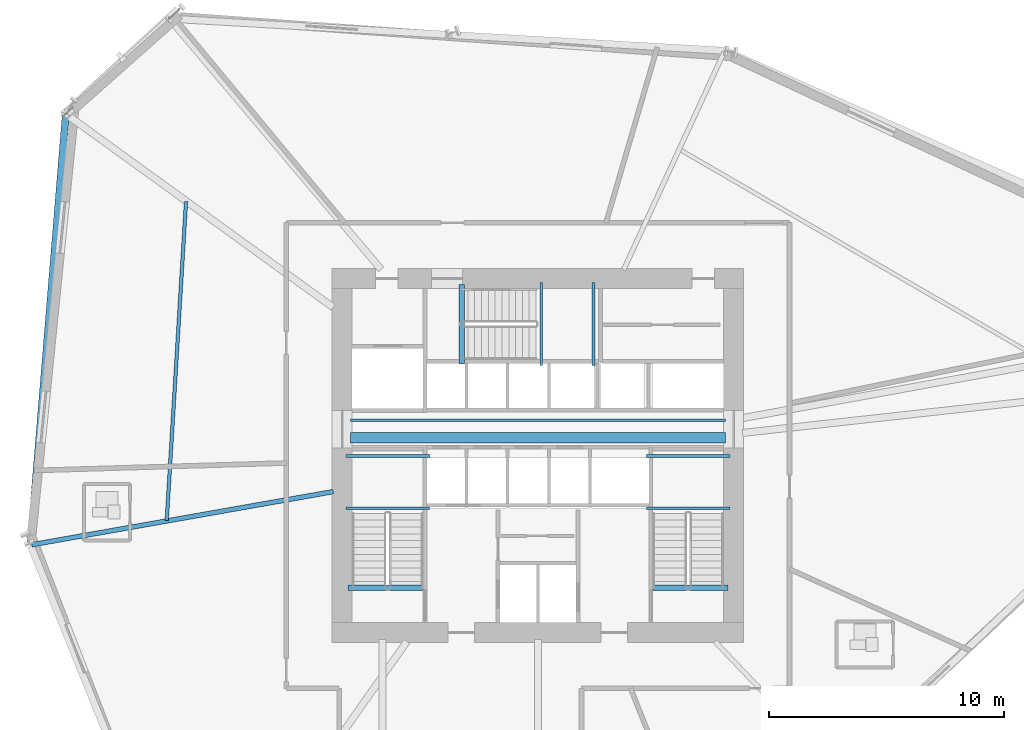
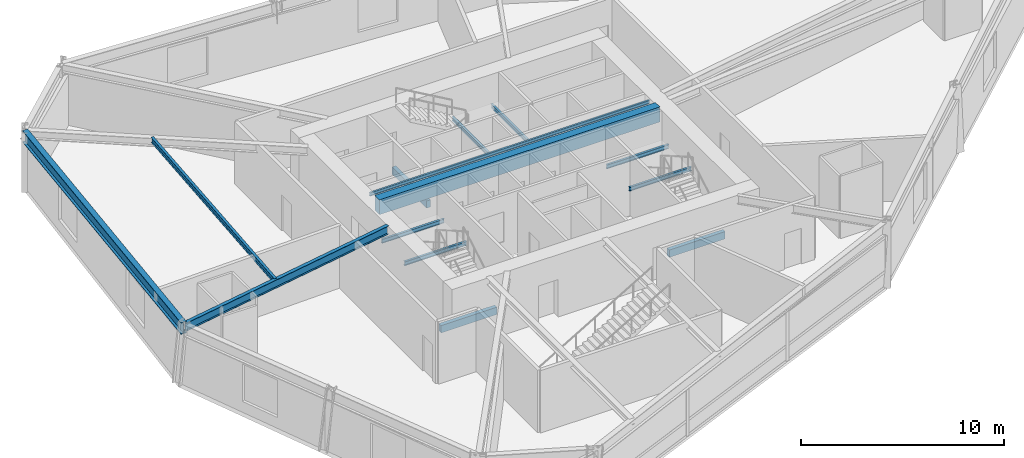
# One storey, part 7 of 19: 14 beams.
"""IFC4 building model written with IfcOpenShell, lengths in metres."""

from ifc_helpers import new_model, si_unit, direction, frame, origin, origin_2d, place, context, subcontext, project, spatial, rectangle, i_section, extrude, source, transform, mapped, material, material_profile, profile_set, type_object, element, save


model = new_model("IFC4")

# Units and contexts
model_context = context("Model", 3, precision=1e-05, world=origin(), true_north=direction((0.0, 1.0)))
body_context = subcontext(model_context, "Body", "Model", "MODEL_VIEW")
ifc_project = project(units=[si_unit("LENGTHUNIT", "METRE"), si_unit("AREAUNIT", "SQUARE_METRE"), si_unit("VOLUMEUNIT", "CUBIC_METRE"), si_unit("PLANEANGLEUNIT", "RADIAN"), si_unit("MASSUNIT", "GRAM", prefix="KILO")], contexts=[model_context])

# Site, building, storey
site_placement = place(None, origin())
site = spatial("IfcSite", under=ifc_project, at=site_placement, CompositionType="ELEMENT")
building_placement = place(site_placement, origin())
building = spatial("IfcBuilding", under=site, at=building_placement, Name="Olszyna Solenne Hotel", CompositionType="ELEMENT")
storey_placement = place(building_placement, frame((0.0, 0.0, 71.89990234375)))
storey = spatial("IfcBuildingStorey", under=building, at=storey_placement, Name="L18", CompositionType="ELEMENT", Elevation=71.89990234375)

# Beams
ifc_material_1 = material(Name="Steel S355J2", Category="steel")
ifc_material_profile_1 = material_profile(ifc_material_1, i_section(OverallWidth=0.300048828125, OverallDepth=0.699951171875, WebThickness=0.01708984375, FlangeThickness=0.031982421875, at=origin_2d()), Name="HEB 700", Category="load-bearing")
ifc_profile_set_1 = profile_set([ifc_material_profile_1], Name="Steel S355J2")
beam_type_1 = type_object("IfcBeamType", Name="BM-S1", PredefinedType="BEAM", material=ifc_profile_set_1)
shared_shape_1 = source(origin(), body_context, "Body", "SweptSolid", [
    extrude(i_section(OverallWidth=0.300048828125, OverallDepth=0.699951171875, WebThickness=0.01708984375, FlangeThickness=0.031982421875, at=origin_2d()), origin(), (0.0, 0.0, 1.0), 18.27099609375),
])
beam_1_placement = place(storey_placement, frame((17.918701171875, 41.06494140625, 3.400146484375), z_axis=(-0.081803557582, -0.996648472616, 0.0), x_axis=(0.996648472616, -0.081803557582, 0.0)))
element("IfcBeam", 1, at=beam_1_placement, inside=storey, type_object=beam_type_1, Name="Perimeter spandrel beam BM-S1 B-L18-0555", PredefinedType="BEAM", context=body_context, shape_type="MappedRepresentation", body=[
    mapped(shared_shape_1, transform((0.0, 0.0, 0.0), x_axis=(1.0, 0.0, 0.0), y_axis=(0.0, 1.0, 0.0), z_axis=(0.0, 0.0, 1.0), scale=1.0)),
])
ifc_material_profile_2 = material_profile(ifc_material_1, i_section(OverallWidth=0.199951171875, OverallDepth=0.5, WebThickness=0.01025390625, FlangeThickness=0.01611328125, at=origin_2d()), Name="IPE 500", Category="load-bearing")
ifc_profile_set_2 = profile_set([ifc_material_profile_2], Name="Steel S355J2")
beam_type_2 = type_object("IfcBeamType", Name="BM-F3", PredefinedType="BEAM", material=ifc_profile_set_2)
shared_shape_2 = source(origin(), body_context, "Body", "SweptSolid", [
    extrude(i_section(OverallWidth=0.199951171875, OverallDepth=0.5, WebThickness=0.01025390625, FlangeThickness=0.01611328125, at=origin_2d()), origin(), (0.0, 0.0, 1.0), 13.018798828125),
])
beam_2_placement = place(storey_placement, frame((16.478271484375, 22.805908203125, 3.5), z_axis=(0.984813561506, 0.173615232837, 0.0), x_axis=(-0.173615232837, 0.984813561506, 0.0)))
element("IfcBeam", 2, at=beam_2_placement, inside=storey, type_object=beam_type_2, Name="Radial floor girder BM-F3 B-L18-0567", PredefinedType="BEAM", context=body_context, shape_type="MappedRepresentation", body=[
    mapped(shared_shape_2, transform((0.0, 0.0, 0.0), x_axis=(1.0, 0.0, 0.0), y_axis=(0.0, 1.0, 0.0), z_axis=(0.0, 0.0, 1.0), scale=1.0)),
])
ifc_material_profile_3 = material_profile(ifc_material_1, i_section(OverallWidth=0.14990234375, OverallDepth=0.300048828125, WebThickness=0.007080078125, FlangeThickness=0.0107421875, at=origin_2d()), Name="IPE 300", Category="load-bearing")
ifc_profile_set_3 = profile_set([ifc_material_profile_3], Name="Steel S355J2")
beam_type_3 = type_object("IfcBeamType", Name="JS-02", PredefinedType="JOIST", material=ifc_profile_set_3)
shared_shape_3 = source(origin(), body_context, "Body", "SweptSolid", [
    extrude(i_section(OverallWidth=0.14990234375, OverallDepth=0.300048828125, WebThickness=0.007080078125, FlangeThickness=0.0107421875, at=origin_2d()), origin(), (0.0, 0.0, 1.0), 13.591552734375),
])
beam_3_placement = place(storey_placement, frame((23.03759765625, 37.404052734375, 3.60009765625), z_axis=(-0.060426726172, -0.998172635752, 0.0), x_axis=(0.998172635752, -0.060426726172, 0.0)))
element("IfcBeam", 3, at=beam_3_placement, inside=storey, type_object=beam_type_3, Name="Secondary composite floor joist JS-02 B-L18-0575", PredefinedType="JOIST", context=body_context, shape_type="MappedRepresentation", body=[
    mapped(shared_shape_3, transform((0.0, 0.0, 0.0), x_axis=(1.0, 0.0, 0.0), y_axis=(0.0, 1.0, 0.0), z_axis=(0.0, 0.0, 1.0), scale=1.0)),
])
ifc_material_2 = material(Name="Concrete C50/60", Category="concrete")
ifc_material_profile_4 = material_profile(ifc_material_2, rectangle(XDim=0.449951171875, YDim=0.89990234375, at=origin_2d()), Name="RC 900x450", Category="load-bearing")
ifc_profile_set_4 = profile_set([ifc_material_profile_4], Name="Concrete C50/60")
beam_type_4 = type_object("IfcBeamType", Name="CB-01", PredefinedType="LINTEL", material=ifc_profile_set_4)
shared_shape_4 = source(origin(), body_context, "Body", "SweptSolid", [
    extrude(rectangle(XDim=0.449951171875, YDim=0.89990234375, at=origin_2d()), origin(), (0.0, 0.0, 1.0), 15.9599609375),
])
beam_4_placement = place(storey_placement, frame((30.02001953125, 27.35009765625, 3.300048828125), z_axis=(1.0, 0.0, 0.0), x_axis=(0.0, 1.0, 0.0)))
element("IfcBeam", 4, at=beam_4_placement, inside=storey, type_object=beam_type_4, Name="Core coupling lintel beam CB-01 L18", PredefinedType="LINTEL", context=body_context, shape_type="MappedRepresentation", body=[
    mapped(shared_shape_4, transform((0.0, 0.0, 0.0), x_axis=(1.0, 0.0, 0.0), y_axis=(0.0, 1.0, 0.0), z_axis=(0.0, 0.0, 1.0), scale=1.0)),
])
ifc_material_profile_5 = material_profile(ifc_material_1, i_section(OverallWidth=0.10009765625, OverallDepth=0.199951171875, WebThickness=0.005615234375, FlangeThickness=0.008544921875, at=origin_2d()), Name="IPE 200", Category="load-bearing")
ifc_profile_set_5 = profile_set([ifc_material_profile_5], Name="Steel S355J2")
beam_type_5 = type_object("IfcBeamType", Name="LN-01", PredefinedType="LINTEL", material=ifc_profile_set_5)
shared_shape_5 = source(origin(), body_context, "Body", "SweptSolid", [
    extrude(i_section(OverallWidth=0.10009765625, OverallDepth=0.199951171875, WebThickness=0.005615234375, FlangeThickness=0.008544921875, at=origin_2d()), origin(), (0.0, 0.0, 1.0), 15.9599609375),
])
beam_5_placement = place(storey_placement, frame((30.02001953125, 28.10009765625, 3.5), z_axis=(1.0, 0.0, 0.0), x_axis=(0.0, 1.0, 0.0)))
element("IfcBeam", 5, at=beam_5_placement, inside=storey, type_object=beam_type_5, Name="Opening steel lintel LN-01 L18", PredefinedType="LINTEL", context=body_context, shape_type="MappedRepresentation", body=[
    mapped(shared_shape_5, transform((0.0, 0.0, 0.0), x_axis=(1.0, 0.0, 0.0), y_axis=(0.0, 1.0, 0.0), z_axis=(0.0, 0.0, 1.0), scale=1.0)),
])
ifc_material_profile_6 = material_profile(ifc_material_1, i_section(OverallWidth=0.1201171875, OverallDepth=0.239990234375, WebThickness=0.006103515625, FlangeThickness=0.009765625, at=origin_2d()), Name="IPE 240", Category="load-bearing")
ifc_profile_set_6 = profile_set([ifc_material_profile_6], Name="Steel S355J2")
beam_type_6 = type_object("IfcBeamType", Name="JS-03", PredefinedType="JOIST", material=ifc_profile_set_6)
shared_shape_6 = source(origin(), body_context, "Body", "SweptSolid", [
    extrude(i_section(OverallWidth=0.1201171875, OverallDepth=0.239990234375, WebThickness=0.006103515625, FlangeThickness=0.009765625, at=origin_2d()), origin(), (0.0, 0.0, 1.0), 3.539794921875),
])
for number, where, z_axis, x_axis, name in (
    (6, (33.3798828125, 24.360107421875, 1.675048828125), (-1.0, 0.0, 0.0), (0.0, -1.0, 0.0), "Stair landing support beam JS-03 SLB-ST1-0041"),
    (7, (33.3798828125, 26.580078125, 1.675048828125), (-1.0, 0.0, 0.0), (0.0, -1.0, 0.0), "Stair landing support beam JS-03 SLB-ST1-0042"),
    (8, (46.159912109375, 24.360107421875, 1.675048828125), (-1.0, 0.0, 0.0), (0.0, -1.0, 0.0), "Stair landing support beam JS-03 SLB-ST2-0281"),
    (9, (46.159912109375, 26.580078125, 1.675048828125), (-1.0, 0.0, 0.0), (0.0, -1.0, 0.0), "Stair landing support beam JS-03 SLB-ST2-0282"),
):
    element("IfcBeam", number, at=place(storey_placement, frame(where, z_axis=z_axis, x_axis=x_axis)), inside=storey, type_object=beam_type_6, Name=name, PredefinedType="JOIST", context=body_context, shape_type="MappedRepresentation", body=[
        mapped(shared_shape_6, transform((0.0, 0.0, 0.0), x_axis=(1.0, 0.0, 0.0), y_axis=(0.0, 1.0, 0.0), z_axis=(0.0, 0.0, 1.0), scale=1.0)),
    ])
ifc_material_profile_7 = material_profile(ifc_material_2, rectangle(XDim=0.219970703125, YDim=0.43994140625, at=origin_2d()), Name="RC 220x440", Category="load-bearing")
ifc_profile_set_7 = profile_set([ifc_material_profile_7], Name="Concrete C50/60")
beam_type_7 = type_object("IfcBeamType", Name="BM-ST1", PredefinedType="BEAM", material=ifc_profile_set_7)
shared_shape_7 = source(origin(), body_context, "Body", "SweptSolid", [
    extrude(rectangle(XDim=0.219970703125, YDim=0.43994140625, at=origin_2d()), origin(), (0.0, 0.0, 1.0), 3.18017578125),
])
for number, where, z_axis, x_axis, name in (
    (10, (33.10009765625, 20.97998046875, -0.204833984375), (-1.0, 0.0, 0.0), (0.0, -1.0, 0.0), "Concrete stair trimmer beam BM-ST1 SHB-ST1-0180"),
    (11, (46.080078125, 20.97998046875, -0.204833984375), (-1.0, 0.0, 0.0), (0.0, -1.0, 0.0), "Concrete stair trimmer beam BM-ST1 SHB-ST2-0420"),
):
    element("IfcBeam", number, at=place(storey_placement, frame(where, z_axis=z_axis, x_axis=x_axis)), inside=storey, type_object=beam_type_7, Name=name, PredefinedType="BEAM", context=body_context, shape_type="MappedRepresentation", body=[
        mapped(shared_shape_7, transform((0.0, 0.0, 0.0), x_axis=(1.0, 0.0, 0.0), y_axis=(0.0, 1.0, 0.0), z_axis=(0.0, 0.0, 1.0), scale=1.0)),
    ])
shared_shape_8 = source(origin(), body_context, "Body", "SweptSolid", [
    extrude(i_section(OverallWidth=0.1201171875, OverallDepth=0.239990234375, WebThickness=0.006103515625, FlangeThickness=0.009765625, at=origin_2d()), origin(), (0.0, 0.0, 1.0), 3.5400390625),
])
for number, where, z_axis, x_axis, name in (
    (12, (38.139892578125, 30.419921875, 1.675048828125), (0.0, 1.0, 0.0), (-1.0, 0.0, 0.0), "Stair landing support beam JS-03 SLB-ST3-0521"),
    (13, (40.360107421875, 30.419921875, 1.675048828125), (0.0, 1.0, 0.0), (-1.0, 0.0, 0.0), "Stair landing support beam JS-03 SLB-ST3-0522"),
):
    element("IfcBeam", number, at=place(storey_placement, frame(where, z_axis=z_axis, x_axis=x_axis)), inside=storey, type_object=beam_type_6, Name=name, PredefinedType="JOIST", context=body_context, shape_type="MappedRepresentation", body=[
        mapped(shared_shape_8, transform((0.0, 0.0, 0.0), x_axis=(1.0, 0.0, 0.0), y_axis=(0.0, 1.0, 0.0), z_axis=(0.0, 0.0, 1.0), scale=1.0)),
    ])
shared_shape_9 = source(origin(), body_context, "Body", "SweptSolid", [
    extrude(rectangle(XDim=0.219970703125, YDim=0.43994140625, at=origin_2d()), origin(), (0.0, 0.0, 1.0), 3.3798828125),
])
beam_6_placement = place(storey_placement, frame((34.760009765625, 30.5, -0.204833984375), z_axis=(0.0, 1.0, 0.0), x_axis=(-1.0, 0.0, 0.0)))
element("IfcBeam", 14, at=beam_6_placement, inside=storey, type_object=beam_type_7, Name="Concrete stair trimmer beam BM-ST1 SHB-ST3-0658", PredefinedType="BEAM", context=body_context, shape_type="MappedRepresentation", body=[
    mapped(shared_shape_9, transform((0.0, 0.0, 0.0), x_axis=(1.0, 0.0, 0.0), y_axis=(0.0, 1.0, 0.0), z_axis=(0.0, 0.0, 1.0), scale=1.0)),
])

save(model, "model.ifc")
